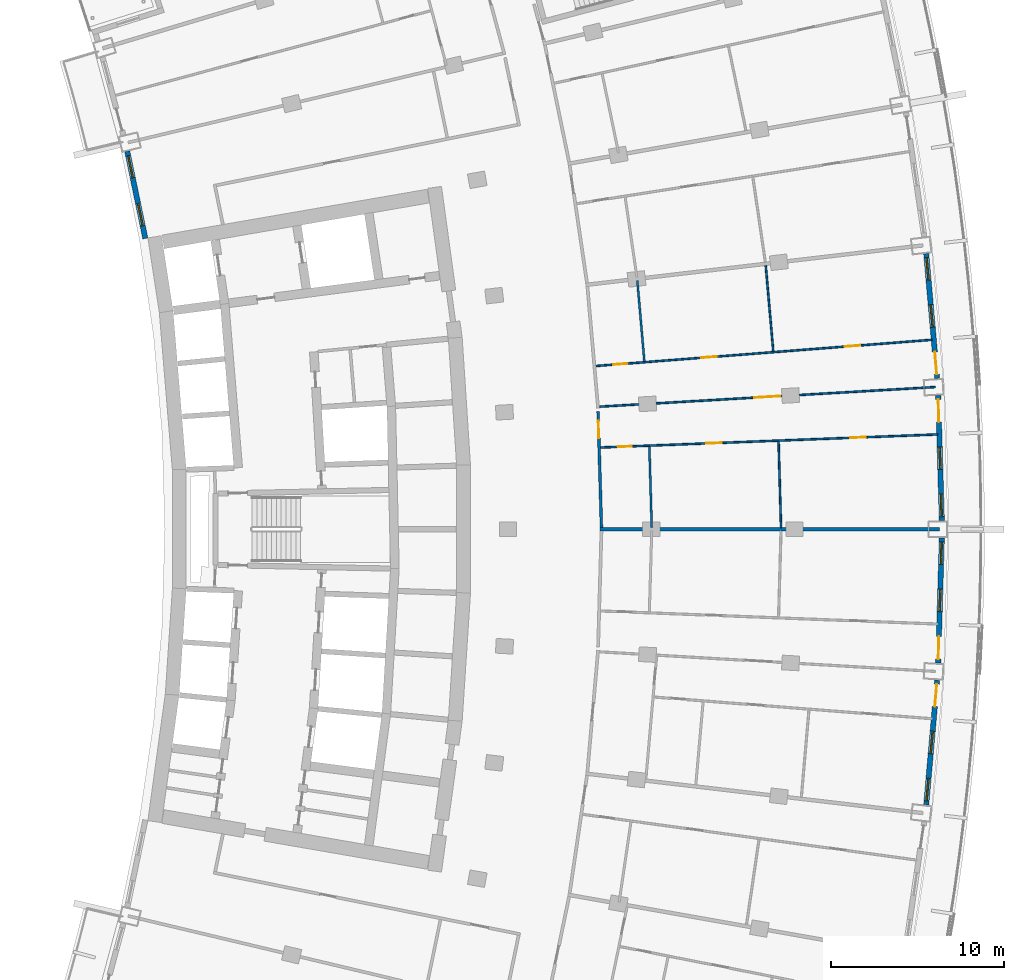
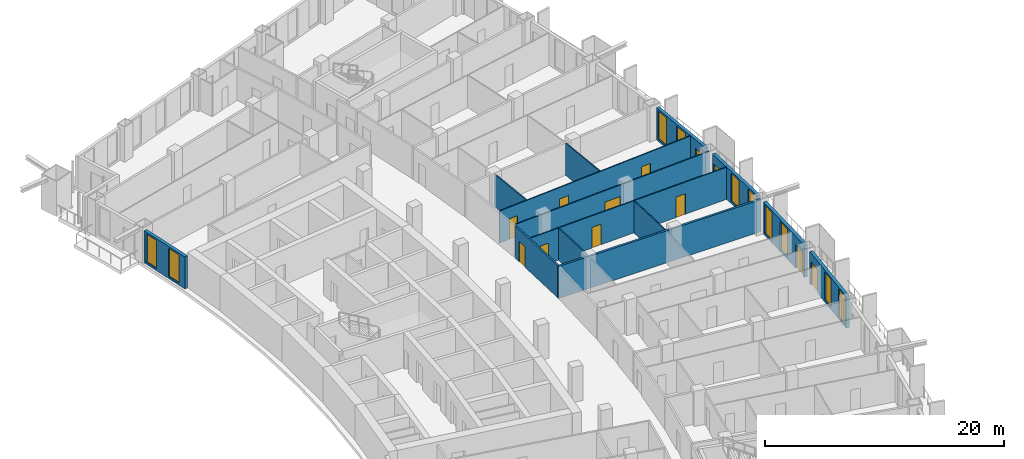
# One storey, part 18 of 25: 14 walls, 12 doors, 10 windows, 22 openings.
"""IFC4 building model written with IfcOpenShell, lengths in metres."""

from ifc_helpers import new_model, si_unit, direction, frame, frame_2d, origin, place, context, subcontext, project, spatial, rectangle, extrude, material, layer, layer_set, type_object, element, fill, save


model = new_model("IFC4")

# Units and contexts
model_context = context("Model", 3, precision=1e-05, world=origin(), true_north=direction((0.0, 1.0)))
body_context = subcontext(model_context, "Body", "Model", "MODEL_VIEW")
ifc_project = project(units=[si_unit("LENGTHUNIT", "METRE"), si_unit("AREAUNIT", "SQUARE_METRE"), si_unit("VOLUMEUNIT", "CUBIC_METRE"), si_unit("PLANEANGLEUNIT", "RADIAN"), si_unit("MASSUNIT", "GRAM", prefix="KILO")], contexts=[model_context])

# Site, building, storey
site_placement = place(None, origin())
site = spatial("IfcSite", under=ifc_project, at=site_placement, CompositionType="ELEMENT")
building_placement = place(site_placement, origin())
building = spatial("IfcBuilding", under=site, at=building_placement, Name="Alderwake Tower", CompositionType="ELEMENT")
storey_placement = place(building_placement, frame((0.0, 0.0, 122.0)))
storey = spatial("IfcBuildingStorey", under=building, at=storey_placement, Name="L30", CompositionType="ELEMENT", Elevation=122.0)

# Wall, opening, door
ifc_material_1 = material(Name="Gypsum board on metal studs, rated")
ifc_layer_1 = layer(ifc_material_1, 0.159912109375)
ifc_layer_set_1 = layer_set([ifc_layer_1], Name="Corridor wall 160")
wall_type_1 = type_object("IfcWallType", Name="Corridor wall 160", PredefinedType="PARTITIONING", material=ifc_layer_set_1)
wall_1_placement = place(storey_placement, frame((41.002685546875, 67.80029296875, 0.0), z_axis=(0.0, 0.0, 1.0), x_axis=(0.0288425569, -0.999583966914, 0.0)))
wall_1 = element("IfcWall", 1, at=wall_1_placement, inside=storey, type_object=wall_type_1, Name="WL/L30/W41", PredefinedType="PARTITIONING", context=body_context, shape_type="SweptSolid", body=[
    extrude(rectangle(XDim=6.703857421875, YDim=0.159912109375, at=frame_2d((3.35205078125, 0.0))), origin(), (0.0, 0.0, 1.0), 3.280029296875),
])
opening_1_placement = place(wall_1_placement, frame((0.54541015625, 0.0, 0.0)))
opening_1 = element("IfcOpeningElement", 2, at=opening_1_placement, cuts=wall_1, Name="Opening R08-U08.2", PredefinedType="OPENING", context=body_context, shape_type="SweptSolid", body=[
    extrude(rectangle(XDim=1.0, YDim=2.10009765625, at=frame_2d((0.5, 1.050048828125))), frame((0.0, 0.08984375, 0.0), z_axis=(0.0, -1.0, 0.0), x_axis=(1.0, 0.0, 0.0)), (0.0, 0.0, 1.0), 0.179931640625),
])
ifc_material_2 = material(Name="Solid timber leaf in steel frame", Category="steel")
door_type_1 = type_object("IfcDoorType", Name="Flat entrance door 1000 fire-rated", OperationType="SINGLE_SWING_LEFT", PredefinedType="DOOR", material=ifc_material_2)
door_1_placement = place(opening_1_placement, origin())
door_1 = element("IfcDoor", 3, at=door_1_placement, inside=storey, type_object=door_type_1, Name="DR/L30/U08.2", OperationType="SINGLE_SWING_LEFT", OverallHeight=2.10009765625, OverallWidth=1.0, PredefinedType="DOOR", context=body_context, shape_type="SweptSolid", body=[
    extrude(rectangle(XDim=1.0, YDim=2.10009765625, at=frame_2d((0.5, 1.050048828125))), frame((0.0, 0.02490234375, 0.0), z_axis=(0.0, -1.0, 0.0), x_axis=(1.0, 0.0, 0.0)), (0.0, 0.0, 1.0), 0.050048828125),
])
fill(opening_1, door_1)

# Wall, openings, door, windows
ifc_material_3 = material(Name="Precast concrete C50/60 spandrel panel", Category="concrete")
ifc_layer_2 = layer(ifc_material_3, 0.300048828125)
ifc_layer_set_2 = layer_set([ifc_layer_2], Name="External wall EW1 Precast concrete C50/60 spandrel")
wall_type_2 = type_object("IfcWallType", Name="External wall EW1 Precast concrete C50/60 spandrel", PredefinedType="SOLIDWALL", material=ifc_layer_set_2)
wall_2_placement = place(storey_placement, frame((59.93603515625, 45.101806640625, 0.0), z_axis=(0.0, 0.0, 1.0), x_axis=(0.087409071473, 0.996172502243, 0.0)))
wall_2 = element("IfcWall", 4, at=wall_2_placement, inside=storey, type_object=wall_type_2, Name="External wall 15", PredefinedType="SOLIDWALL", context=body_context, shape_type="SweptSolid", body=[
    extrude(rectangle(XDim=7.21728515625, YDim=0.300048828125, at=frame_2d((3.608642578125, 0.0))), origin(), (0.0, 0.0, 1.0), 3.280029296875),
])
opening_2_placement = place(wall_2_placement, frame((0.22509765625, 0.0, 0.199951171875)))
opening_2 = element("IfcOpeningElement", 5, at=opening_2_placement, cuts=wall_2, Name="Opening W1", PredefinedType="OPENING", context=body_context, shape_type="SweptSolid", body=[
    extrude(rectangle(XDim=1.300048828125, YDim=2.89990234375, at=frame_2d((0.64990234375, 1.449951171875))), frame((0.0, 0.159912109375, 0.0), z_axis=(0.0, -1.0, 0.0), x_axis=(1.0, 0.0, 0.0)), (0.0, 0.0, 1.0), 0.320068359375),
])
opening_3_placement = place(wall_2_placement, frame((2.958740234375, 0.0, 0.199951171875)))
opening_3 = element("IfcOpeningElement", 6, at=opening_3_placement, cuts=wall_2, Name="Opening W1", PredefinedType="OPENING", context=body_context, shape_type="SweptSolid", body=[
    extrude(rectangle(XDim=1.300048828125, YDim=2.89990234375, at=frame_2d((0.64990234375, 1.449951171875))), frame((0.0, 0.159912109375, 0.0), z_axis=(0.0, -1.0, 0.0), x_axis=(1.0, 0.0, 0.0)), (0.0, 0.0, 1.0), 0.320068359375),
])
opening_4_placement = place(wall_2_placement, frame((5.692138671875, 0.0, 0.0)))
opening_4 = element("IfcOpeningElement", 7, at=opening_4_placement, cuts=wall_2, Name="Opening D06", PredefinedType="OPENING", context=body_context, shape_type="SweptSolid", body=[
    extrude(rectangle(XDim=1.300048828125, YDim=2.39990234375, at=frame_2d((0.64990234375, 1.199951171875))), frame((0.0, 0.159912109375, 0.0), z_axis=(0.0, -1.0, 0.0), x_axis=(1.0, 0.0, 0.0)), (0.0, 0.0, 1.0), 0.320068359375),
])
ifc_material_4 = material(Name="Bronze tinted glass in aluminium frame", Category="aluminium")
door_type_2 = type_object("IfcDoorType", Name="Balcony door BD sliding", OperationType="SLIDING_TO_LEFT", PredefinedType="DOOR", material=ifc_material_4)
door_2_placement = place(opening_4_placement, origin())
door_2 = element("IfcDoor", 8, at=door_2_placement, inside=storey, type_object=door_type_2, Name="Door D06", OperationType="SLIDING_TO_LEFT", OverallHeight=2.39990234375, OverallWidth=1.300048828125, PredefinedType="DOOR", context=body_context, shape_type="SweptSolid", body=[
    extrude(rectangle(XDim=1.300048828125, YDim=2.39990234375, at=frame_2d((0.64990234375, 1.199951171875))), frame((0.0, 0.02490234375, 0.0), z_axis=(0.0, -1.0, 0.0), x_axis=(1.0, 0.0, 0.0)), (0.0, 0.0, 1.0), 0.050048828125),
])
fill(opening_4, door_2)
ifc_material_5 = material(Name="Bronze tinted glass in aluminium frame", Category="aluminium")
window_type = type_object("IfcWindowType", Name="Window W1 tall fixed and vent", PartitioningType="DOUBLE_PANEL_VERTICAL", PredefinedType="WINDOW", material=ifc_material_5)
window_1_placement = place(opening_2_placement, origin())
window_1 = element("IfcWindow", 9, at=window_1_placement, inside=storey, type_object=window_type, Name="Window W1 tall fixed and vent", OverallHeight=2.89990234375, OverallWidth=1.300048828125, PartitioningType="DOUBLE_PANEL_VERTICAL", PredefinedType="WINDOW", context=body_context, shape_type="SweptSolid", body=[
    extrude(rectangle(XDim=1.300048828125, YDim=2.89990234375, at=frame_2d((0.64990234375, 1.449951171875))), frame((0.0, 0.030029296875, 0.0), z_axis=(0.0, -1.0, 0.0), x_axis=(1.0, 0.0, 0.0)), (0.0, 0.0, 1.0), 0.06005859375),
])
fill(opening_2, window_1)
window_2_placement = place(opening_3_placement, origin())
window_2 = element("IfcWindow", 10, at=window_2_placement, inside=storey, type_object=window_type, Name="Window W1 tall fixed and vent", OverallHeight=2.89990234375, OverallWidth=1.300048828125, PartitioningType="DOUBLE_PANEL_VERTICAL", PredefinedType="WINDOW", context=body_context, shape_type="SweptSolid", body=[
    extrude(rectangle(XDim=1.300048828125, YDim=2.89990234375, at=frame_2d((0.64990234375, 1.449951171875))), frame((0.0, 0.030029296875, 0.0), z_axis=(0.0, -1.0, 0.0), x_axis=(1.0, 0.0, 0.0)), (0.0, 0.0, 1.0), 0.06005859375),
])
fill(opening_3, window_2)

wall_3_placement = place(storey_placement, frame((60.625, 53.287109375, 0.0), z_axis=(0.0, 0.0, 1.0), x_axis=(0.029158493341, 0.999574800736, 0.0)))
wall_3 = element("IfcWall", 11, at=wall_3_placement, inside=storey, type_object=wall_type_2, Name="External wall 16", PredefinedType="SOLIDWALL", context=body_context, shape_type="SweptSolid", body=[
    extrude(rectangle(XDim=7.217529296875, YDim=0.300048828125, at=frame_2d((3.60888671875, 0.0))), origin(), (0.0, 0.0, 1.0), 3.280029296875),
])
opening_5_placement = place(wall_3_placement, frame((0.22509765625, 0.0, 0.0)))
opening_5 = element("IfcOpeningElement", 12, at=opening_5_placement, cuts=wall_3, Name="Opening D07", PredefinedType="OPENING", context=body_context, shape_type="SweptSolid", body=[
    extrude(rectangle(XDim=1.300048828125, YDim=2.39990234375, at=frame_2d((0.64990234375, 1.199951171875))), frame((0.0, 0.159912109375, 0.0), z_axis=(0.0, -1.0, 0.0), x_axis=(1.0, 0.0, 0.0)), (0.0, 0.0, 1.0), 0.320068359375),
])
opening_6_placement = place(wall_3_placement, frame((2.958740234375, 0.0, 0.199951171875)))
opening_6 = element("IfcOpeningElement", 13, at=opening_6_placement, cuts=wall_3, Name="Opening W1", PredefinedType="OPENING", context=body_context, shape_type="SweptSolid", body=[
    extrude(rectangle(XDim=1.300048828125, YDim=2.89990234375, at=frame_2d((0.64990234375, 1.449951171875))), frame((0.0, 0.159912109375, 0.0), z_axis=(0.0, -1.0, 0.0), x_axis=(1.0, 0.0, 0.0)), (0.0, 0.0, 1.0), 0.320068359375),
])
opening_7_placement = place(wall_3_placement, frame((5.692138671875, 0.0, 0.199951171875)))
opening_7 = element("IfcOpeningElement", 14, at=opening_7_placement, cuts=wall_3, Name="Opening W1", PredefinedType="OPENING", context=body_context, shape_type="SweptSolid", body=[
    extrude(rectangle(XDim=1.300048828125, YDim=2.89990234375, at=frame_2d((0.64990234375, 1.449951171875))), frame((0.0, 0.159912109375, 0.0), z_axis=(0.0, -1.0, 0.0), x_axis=(1.0, 0.0, 0.0)), (0.0, 0.0, 1.0), 0.320068359375),
])
door_3_placement = place(opening_5_placement, origin())
door_3 = element("IfcDoor", 15, at=door_3_placement, inside=storey, type_object=door_type_2, Name="Door D07", OperationType="SLIDING_TO_LEFT", OverallHeight=2.39990234375, OverallWidth=1.300048828125, PredefinedType="DOOR", context=body_context, shape_type="SweptSolid", body=[
    extrude(rectangle(XDim=1.300048828125, YDim=2.39990234375, at=frame_2d((0.64990234375, 1.199951171875))), frame((0.0, 0.02490234375, 0.0), z_axis=(0.0, -1.0, 0.0), x_axis=(1.0, 0.0, 0.0)), (0.0, 0.0, 1.0), 0.050048828125),
])
fill(opening_5, door_3)
window_3_placement = place(opening_6_placement, origin())
window_3 = element("IfcWindow", 16, at=window_3_placement, inside=storey, type_object=window_type, Name="Window W1 tall fixed and vent", OverallHeight=2.89990234375, OverallWidth=1.300048828125, PartitioningType="DOUBLE_PANEL_VERTICAL", PredefinedType="WINDOW", context=body_context, shape_type="SweptSolid", body=[
    extrude(rectangle(XDim=1.300048828125, YDim=2.89990234375, at=frame_2d((0.64990234375, 1.449951171875))), frame((0.0, 0.030029296875, 0.0), z_axis=(0.0, -1.0, 0.0), x_axis=(1.0, 0.0, 0.0)), (0.0, 0.0, 1.0), 0.06005859375),
])
fill(opening_6, window_3)
window_4_placement = place(opening_7_placement, origin())
window_4 = element("IfcWindow", 17, at=window_4_placement, inside=storey, type_object=window_type, Name="Window W1 tall fixed and vent", OverallHeight=2.89990234375, OverallWidth=1.300048828125, PartitioningType="DOUBLE_PANEL_VERTICAL", PredefinedType="WINDOW", context=body_context, shape_type="SweptSolid", body=[
    extrude(rectangle(XDim=1.300048828125, YDim=2.89990234375, at=frame_2d((0.64990234375, 1.449951171875))), frame((0.0, 0.030029296875, 0.0), z_axis=(0.0, -1.0, 0.0), x_axis=(1.0, 0.0, 0.0)), (0.0, 0.0, 1.0), 0.06005859375),
])
fill(opening_7, window_4)

wall_4_placement = place(storey_placement, frame((60.83544921875, 61.49853515625, 0.0), z_axis=(0.0, 0.0, 1.0), x_axis=(-0.029158493341, 0.999574800736, 0.0)))
wall_4 = element("IfcWall", 18, at=wall_4_placement, inside=storey, type_object=wall_type_2, Name="External wall 17", PredefinedType="SOLIDWALL", context=body_context, shape_type="SweptSolid", body=[
    extrude(rectangle(XDim=7.217529296875, YDim=0.300048828125, at=frame_2d((3.60888671875, 0.0))), origin(), (0.0, 0.0, 1.0), 3.280029296875),
])
opening_8_placement = place(wall_4_placement, frame((0.22509765625, 0.0, 0.199951171875)))
opening_8 = element("IfcOpeningElement", 19, at=opening_8_placement, cuts=wall_4, Name="Opening W1", PredefinedType="OPENING", context=body_context, shape_type="SweptSolid", body=[
    extrude(rectangle(XDim=1.300048828125, YDim=2.89990234375, at=frame_2d((0.64990234375, 1.449951171875))), frame((0.0, 0.159912109375, 0.0), z_axis=(0.0, -1.0, 0.0), x_axis=(1.0, 0.0, 0.0)), (0.0, 0.0, 1.0), 0.320068359375),
])
opening_9_placement = place(wall_4_placement, frame((2.958740234375, 0.0, 0.199951171875)))
opening_9 = element("IfcOpeningElement", 20, at=opening_9_placement, cuts=wall_4, Name="Opening W1", PredefinedType="OPENING", context=body_context, shape_type="SweptSolid", body=[
    extrude(rectangle(XDim=1.300048828125, YDim=2.89990234375, at=frame_2d((0.64990234375, 1.449951171875))), frame((0.0, 0.159912109375, 0.0), z_axis=(0.0, -1.0, 0.0), x_axis=(1.0, 0.0, 0.0)), (0.0, 0.0, 1.0), 0.320068359375),
])
opening_10_placement = place(wall_4_placement, frame((5.692138671875, 0.0, 0.0)))
opening_10 = element("IfcOpeningElement", 21, at=opening_10_placement, cuts=wall_4, Name="Opening D08", PredefinedType="OPENING", context=body_context, shape_type="SweptSolid", body=[
    extrude(rectangle(XDim=1.300048828125, YDim=2.39990234375, at=frame_2d((0.64990234375, 1.199951171875))), frame((0.0, 0.159912109375, 0.0), z_axis=(0.0, -1.0, 0.0), x_axis=(1.0, 0.0, 0.0)), (0.0, 0.0, 1.0), 0.320068359375),
])
door_4_placement = place(opening_10_placement, origin())
door_4 = element("IfcDoor", 22, at=door_4_placement, inside=storey, type_object=door_type_2, Name="Door D08", OperationType="SLIDING_TO_LEFT", OverallHeight=2.39990234375, OverallWidth=1.300048828125, PredefinedType="DOOR", context=body_context, shape_type="SweptSolid", body=[
    extrude(rectangle(XDim=1.300048828125, YDim=2.39990234375, at=frame_2d((0.64990234375, 1.199951171875))), frame((0.0, 0.02490234375, 0.0), z_axis=(0.0, -1.0, 0.0), x_axis=(1.0, 0.0, 0.0)), (0.0, 0.0, 1.0), 0.050048828125),
])
fill(opening_10, door_4)
window_5_placement = place(opening_8_placement, origin())
window_5 = element("IfcWindow", 23, at=window_5_placement, inside=storey, type_object=window_type, Name="Window W1 tall fixed and vent", OverallHeight=2.89990234375, OverallWidth=1.300048828125, PartitioningType="DOUBLE_PANEL_VERTICAL", PredefinedType="WINDOW", context=body_context, shape_type="SweptSolid", body=[
    extrude(rectangle(XDim=1.300048828125, YDim=2.89990234375, at=frame_2d((0.64990234375, 1.449951171875))), frame((0.0, 0.030029296875, 0.0), z_axis=(0.0, -1.0, 0.0), x_axis=(1.0, 0.0, 0.0)), (0.0, 0.0, 1.0), 0.06005859375),
])
fill(opening_8, window_5)
window_6_placement = place(opening_9_placement, origin())
window_6 = element("IfcWindow", 24, at=window_6_placement, inside=storey, type_object=window_type, Name="Window W1 tall fixed and vent", OverallHeight=2.89990234375, OverallWidth=1.300048828125, PartitioningType="DOUBLE_PANEL_VERTICAL", PredefinedType="WINDOW", context=body_context, shape_type="SweptSolid", body=[
    extrude(rectangle(XDim=1.300048828125, YDim=2.89990234375, at=frame_2d((0.64990234375, 1.449951171875))), frame((0.0, 0.030029296875, 0.0), z_axis=(0.0, -1.0, 0.0), x_axis=(1.0, 0.0, 0.0)), (0.0, 0.0, 1.0), 0.06005859375),
])
fill(opening_9, window_6)

wall_5_placement = place(storey_placement, frame((60.56689453125, 69.70849609375, 0.0), z_axis=(0.0, 0.0, 1.0), x_axis=(-0.087409071473, 0.996172502243, 0.0)))
wall_5 = element("IfcWall", 25, at=wall_5_placement, inside=storey, type_object=wall_type_2, Name="External wall 18", PredefinedType="SOLIDWALL", context=body_context, shape_type="SweptSolid", body=[
    extrude(rectangle(XDim=7.21728515625, YDim=0.300048828125, at=frame_2d((3.608642578125, 0.0))), origin(), (0.0, 0.0, 1.0), 3.280029296875),
])
opening_11_placement = place(wall_5_placement, frame((0.22509765625, 0.0, 0.0)))
opening_11 = element("IfcOpeningElement", 26, at=opening_11_placement, cuts=wall_5, Name="Opening D09", PredefinedType="OPENING", context=body_context, shape_type="SweptSolid", body=[
    extrude(rectangle(XDim=1.300048828125, YDim=2.39990234375, at=frame_2d((0.64990234375, 1.199951171875))), frame((0.0, 0.159912109375, 0.0), z_axis=(0.0, -1.0, 0.0), x_axis=(1.0, 0.0, 0.0)), (0.0, 0.0, 1.0), 0.320068359375),
])
opening_12_placement = place(wall_5_placement, frame((2.958740234375, 0.0, 0.199951171875)))
opening_12 = element("IfcOpeningElement", 27, at=opening_12_placement, cuts=wall_5, Name="Opening W1", PredefinedType="OPENING", context=body_context, shape_type="SweptSolid", body=[
    extrude(rectangle(XDim=1.300048828125, YDim=2.89990234375, at=frame_2d((0.64990234375, 1.449951171875))), frame((0.0, 0.159912109375, 0.0), z_axis=(0.0, -1.0, 0.0), x_axis=(1.0, 0.0, 0.0)), (0.0, 0.0, 1.0), 0.320068359375),
])
opening_13_placement = place(wall_5_placement, frame((5.692138671875, 0.0, 0.199951171875)))
opening_13 = element("IfcOpeningElement", 28, at=opening_13_placement, cuts=wall_5, Name="Opening W1", PredefinedType="OPENING", context=body_context, shape_type="SweptSolid", body=[
    extrude(rectangle(XDim=1.300048828125, YDim=2.89990234375, at=frame_2d((0.64990234375, 1.449951171875))), frame((0.0, 0.159912109375, 0.0), z_axis=(0.0, -1.0, 0.0), x_axis=(1.0, 0.0, 0.0)), (0.0, 0.0, 1.0), 0.320068359375),
])
door_5_placement = place(opening_11_placement, origin())
door_5 = element("IfcDoor", 29, at=door_5_placement, inside=storey, type_object=door_type_2, Name="Door D09", OperationType="SLIDING_TO_LEFT", OverallHeight=2.39990234375, OverallWidth=1.300048828125, PredefinedType="DOOR", context=body_context, shape_type="SweptSolid", body=[
    extrude(rectangle(XDim=1.300048828125, YDim=2.39990234375, at=frame_2d((0.64990234375, 1.199951171875))), frame((0.0, 0.02490234375, 0.0), z_axis=(0.0, -1.0, 0.0), x_axis=(1.0, 0.0, 0.0)), (0.0, 0.0, 1.0), 0.050048828125),
])
fill(opening_11, door_5)
window_7_placement = place(opening_12_placement, origin())
window_7 = element("IfcWindow", 30, at=window_7_placement, inside=storey, type_object=window_type, Name="Window W1 tall fixed and vent", OverallHeight=2.89990234375, OverallWidth=1.300048828125, PartitioningType="DOUBLE_PANEL_VERTICAL", PredefinedType="WINDOW", context=body_context, shape_type="SweptSolid", body=[
    extrude(rectangle(XDim=1.300048828125, YDim=2.89990234375, at=frame_2d((0.64990234375, 1.449951171875))), frame((0.0, 0.030029296875, 0.0), z_axis=(0.0, -1.0, 0.0), x_axis=(1.0, 0.0, 0.0)), (0.0, 0.0, 1.0), 0.06005859375),
])
fill(opening_12, window_7)
window_8_placement = place(opening_13_placement, origin())
window_8 = element("IfcWindow", 31, at=window_8_placement, inside=storey, type_object=window_type, Name="Window W1 tall fixed and vent", OverallHeight=2.89990234375, OverallWidth=1.300048828125, PartitioningType="DOUBLE_PANEL_VERTICAL", PredefinedType="WINDOW", context=body_context, shape_type="SweptSolid", body=[
    extrude(rectangle(XDim=1.300048828125, YDim=2.89990234375, at=frame_2d((0.64990234375, 1.449951171875))), frame((0.0, 0.030029296875, 0.0), z_axis=(0.0, -1.0, 0.0), x_axis=(1.0, 0.0, 0.0)), (0.0, 0.0, 1.0), 0.06005859375),
])
fill(opening_13, window_8)

# Wall, openings, windows
wall_6_placement = place(storey_placement, frame((13.83740234375, 82.803955078125, 0.0), z_axis=(0.0, 0.0, 1.0), x_axis=(0.202723539143, -0.979236011734, 0.0)))
wall_6 = element("IfcWall", 32, at=wall_6_placement, inside=storey, type_object=wall_type_2, Name="External wall 34", PredefinedType="SOLIDWALL", context=body_context, shape_type="SweptSolid", body=[
    extrude(rectangle(XDim=5.134033203125, YDim=0.300048828125, at=frame_2d((2.56689453125, 0.0))), origin(), (0.0, 0.0, 1.0), 3.280029296875),
])
opening_14_placement = place(wall_6_placement, frame((0.264892578125, 0.0, 0.199951171875)))
opening_14 = element("IfcOpeningElement", 33, at=opening_14_placement, cuts=wall_6, Name="Opening W1", PredefinedType="OPENING", context=body_context, shape_type="SweptSolid", body=[
    extrude(rectangle(XDim=1.300048828125, YDim=2.89990234375, at=frame_2d((0.64990234375, 1.449951171875))), frame((0.0, 0.159912109375, 0.0), z_axis=(0.0, -1.0, 0.0), x_axis=(1.0, 0.0, 0.0)), (0.0, 0.0, 1.0), 0.320068359375),
])
opening_15_placement = place(wall_6_placement, frame((3.077392578125, 0.0, 0.199951171875)))
opening_15 = element("IfcOpeningElement", 34, at=opening_15_placement, cuts=wall_6, Name="Opening W1", PredefinedType="OPENING", context=body_context, shape_type="SweptSolid", body=[
    extrude(rectangle(XDim=1.300048828125, YDim=2.89990234375, at=frame_2d((0.64990234375, 1.449951171875))), frame((0.0, 0.159912109375, 0.0), z_axis=(0.0, -1.0, 0.0), x_axis=(1.0, 0.0, 0.0)), (0.0, 0.0, 1.0), 0.320068359375),
])
window_9_placement = place(opening_14_placement, origin())
window_9 = element("IfcWindow", 35, at=window_9_placement, inside=storey, type_object=window_type, Name="Window W1 tall fixed and vent", OverallHeight=2.89990234375, OverallWidth=1.300048828125, PartitioningType="DOUBLE_PANEL_VERTICAL", PredefinedType="WINDOW", context=body_context, shape_type="SweptSolid", body=[
    extrude(rectangle(XDim=1.300048828125, YDim=2.89990234375, at=frame_2d((0.64990234375, 1.449951171875))), frame((0.0, 0.030029296875, 0.0), z_axis=(0.0, -1.0, 0.0), x_axis=(1.0, 0.0, 0.0)), (0.0, 0.0, 1.0), 0.06005859375),
])
fill(opening_14, window_9)
window_10_placement = place(opening_15_placement, origin())
window_10 = element("IfcWindow", 36, at=window_10_placement, inside=storey, type_object=window_type, Name="Window W1 tall fixed and vent", OverallHeight=2.89990234375, OverallWidth=1.300048828125, PartitioningType="DOUBLE_PANEL_VERTICAL", PredefinedType="WINDOW", context=body_context, shape_type="SweptSolid", body=[
    extrude(rectangle(XDim=1.300048828125, YDim=2.89990234375, at=frame_2d((0.64990234375, 1.449951171875))), frame((0.0, 0.030029296875, 0.0), z_axis=(0.0, -1.0, 0.0), x_axis=(1.0, 0.0, 0.0)), (0.0, 0.0, 1.0), 0.06005859375),
])
fill(opening_15, window_10)

# Wall
ifc_material_6 = material(Name="Dense block masonry wall", Category="masonry")
ifc_layer_3 = layer(ifc_material_6, 0.199951171875)
ifc_layer_set_3 = layer_set([ifc_layer_3], Name="Party wall 200")
wall_type_3 = type_object("IfcWallType", Name="Party wall 200", PredefinedType="SOLIDWALL", material=ifc_layer_set_3)
wall_7_placement = place(storey_placement, frame((60.698974609375, 60.9990234375, 0.0), z_axis=(0.0, 0.0, 1.0), x_axis=(-1.0, 0.0, 0.0)))
element("IfcWall", 37, at=wall_7_placement, inside=storey, type_object=wall_type_3, Name="WL/L30/W13", PredefinedType="SOLIDWALL", context=body_context, shape_type="SweptSolid", body=[
    extrude(rectangle(XDim=19.580078125, YDim=0.199951171875, at=frame_2d((9.7900390625, 0.0))), origin(), (0.0, 0.0, 1.0), 3.280029296875),
])

# Wall, openings, doors
ifc_material_7 = material(Name="Gypsum board on metal studs")
ifc_layer_4 = layer(ifc_material_7, 0.10009765625)
ifc_layer_set_4 = layer_set([ifc_layer_4], Name="Unit partition 100")
wall_type_4 = type_object("IfcWallType", Name="Unit partition 100", PredefinedType="PARTITIONING", material=ifc_layer_set_4)
wall_8_placement = place(storey_placement, frame((40.867919921875, 70.419189453125, 0.0), z_axis=(0.0, 0.0, 1.0), x_axis=(0.99697836053, 0.077679782668, 0.0)))
wall_8 = element("IfcWall", 38, at=wall_8_placement, inside=storey, type_object=wall_type_4, Name="WL/L30/W70", PredefinedType="PARTITIONING", context=body_context, shape_type="SweptSolid", body=[
    extrude(rectangle(XDim=19.4609375, YDim=0.10009765625, at=frame_2d((9.73046875, 0.0))), origin(), (0.0, 0.0, 1.0), 3.280029296875),
])
opening_16_placement = place(wall_8_placement, frame((6.098388671875, 0.0, 0.0)))
opening_16 = element("IfcOpeningElement", 39, at=opening_16_placement, cuts=wall_8, Name="Opening R08-U08.5", PredefinedType="OPENING", context=body_context, shape_type="SweptSolid", body=[
    extrude(rectangle(XDim=0.89990234375, YDim=2.10009765625, at=frame_2d((0.449951171875, 1.050048828125))), frame((0.0, 0.06005859375, 0.0), z_axis=(0.0, -1.0, 0.0), x_axis=(1.0, 0.0, 0.0)), (0.0, 0.0, 1.0), 0.1201171875),
])
opening_17_placement = place(wall_8_placement, frame((1.009521484375, 0.0, 0.0)))
opening_17 = element("IfcOpeningElement", 40, at=opening_17_placement, cuts=wall_8, Name="Opening R08-U08.6", PredefinedType="OPENING", context=body_context, shape_type="SweptSolid", body=[
    extrude(rectangle(XDim=0.800048828125, YDim=2.10009765625, at=frame_2d((0.39990234375, 1.050048828125))), frame((0.0, 0.06005859375, 0.0), z_axis=(0.0, -1.0, 0.0), x_axis=(1.0, 0.0, 0.0)), (0.0, 0.0, 1.0), 0.1201171875),
])
opening_18_placement = place(wall_8_placement, frame((14.41943359375, 0.0, 0.0)))
opening_18 = element("IfcOpeningElement", 41, at=opening_18_placement, cuts=wall_8, Name="Opening R08-U08.7", PredefinedType="OPENING", context=body_context, shape_type="SweptSolid", body=[
    extrude(rectangle(XDim=0.89990234375, YDim=2.10009765625, at=frame_2d((0.449951171875, 1.050048828125))), frame((0.0, 0.06005859375, 0.0), z_axis=(0.0, -1.0, 0.0), x_axis=(1.0, 0.0, 0.0)), (0.0, 0.0, 1.0), 0.1201171875),
])
ifc_material_8 = material(Name="Painted timber leaf", Category="wood")
door_type_3 = type_object("IfcDoorType", Name="Bathroom door 800", OperationType="SINGLE_SWING_LEFT", PredefinedType="DOOR", material=ifc_material_8)
door_6_placement = place(opening_17_placement, origin())
door_6 = element("IfcDoor", 42, at=door_6_placement, inside=storey, type_object=door_type_3, Name="DR/L30/U08.6", OperationType="SINGLE_SWING_LEFT", OverallHeight=2.10009765625, OverallWidth=0.800048828125, PredefinedType="DOOR", context=body_context, shape_type="SweptSolid", body=[
    extrude(rectangle(XDim=0.800048828125, YDim=2.10009765625, at=frame_2d((0.39990234375, 1.050048828125))), frame((0.0, 0.02490234375, 0.0), z_axis=(0.0, -1.0, 0.0), x_axis=(1.0, 0.0, 0.0)), (0.0, 0.0, 1.0), 0.050048828125),
])
fill(opening_17, door_6)
ifc_material_9 = material(Name="Painted timber leaf", Category="wood")
door_type_4 = type_object("IfcDoorType", Name="Room door 900", OperationType="SINGLE_SWING_LEFT", PredefinedType="DOOR", material=ifc_material_9)
door_7_placement = place(opening_16_placement, origin())
door_7 = element("IfcDoor", 43, at=door_7_placement, inside=storey, type_object=door_type_4, Name="DR/L30/U08.5", OperationType="SINGLE_SWING_LEFT", OverallHeight=2.10009765625, OverallWidth=0.89990234375, PredefinedType="DOOR", context=body_context, shape_type="SweptSolid", body=[
    extrude(rectangle(XDim=0.89990234375, YDim=2.10009765625, at=frame_2d((0.449951171875, 1.050048828125))), frame((0.0, 0.02490234375, 0.0), z_axis=(0.0, -1.0, 0.0), x_axis=(1.0, 0.0, 0.0)), (0.0, 0.0, 1.0), 0.050048828125),
])
fill(opening_16, door_7)
door_8_placement = place(opening_18_placement, origin())
door_8 = element("IfcDoor", 44, at=door_8_placement, inside=storey, type_object=door_type_4, Name="DR/L30/U08.7", OperationType="SINGLE_SWING_LEFT", OverallHeight=2.10009765625, OverallWidth=0.89990234375, PredefinedType="DOOR", context=body_context, shape_type="SweptSolid", body=[
    extrude(rectangle(XDim=0.89990234375, YDim=2.10009765625, at=frame_2d((0.449951171875, 1.050048828125))), frame((0.0, 0.02490234375, 0.0), z_axis=(0.0, -1.0, 0.0), x_axis=(1.0, 0.0, 0.0)), (0.0, 0.0, 1.0), 0.050048828125),
])
fill(opening_18, door_8)

wall_9_placement = place(storey_placement, frame((60.591064453125, 66.470947265625, 0.0), z_axis=(0.0, 0.0, 1.0), x_axis=(-0.999245527857, -0.038837804487, 0.0)))
wall_9 = element("IfcWall", 45, at=wall_9_placement, inside=storey, type_object=wall_type_4, Name="WL/L30/W73", PredefinedType="PARTITIONING", context=body_context, shape_type="SweptSolid", body=[
    extrude(rectangle(XDim=19.4619140625, YDim=0.10009765625, at=frame_2d((9.73095703125, 0.0))), origin(), (0.0, 0.0, 1.0), 3.280029296875),
])
opening_19_placement = place(wall_9_placement, frame((12.46484375, 0.0, 0.0)))
opening_19 = element("IfcOpeningElement", 46, at=opening_19_placement, cuts=wall_9, Name="Opening R08-U08.1", PredefinedType="OPENING", context=body_context, shape_type="SweptSolid", body=[
    extrude(rectangle(XDim=0.89990234375, YDim=2.10009765625, at=frame_2d((0.449951171875, 1.050048828125))), frame((0.0, 0.06005859375, 0.0), z_axis=(0.0, -1.0, 0.0), x_axis=(1.0, 0.0, 0.0)), (0.0, 0.0, 1.0), 0.1201171875),
])
opening_20_placement = place(wall_9_placement, frame((17.653076171875, 0.0, 0.0)))
opening_20 = element("IfcOpeningElement", 47, at=opening_20_placement, cuts=wall_9, Name="Opening R08-U08.3", PredefinedType="OPENING", context=body_context, shape_type="SweptSolid", body=[
    extrude(rectangle(XDim=0.800048828125, YDim=2.10009765625, at=frame_2d((0.39990234375, 1.050048828125))), frame((0.0, 0.06005859375, 0.0), z_axis=(0.0, -1.0, 0.0), x_axis=(1.0, 0.0, 0.0)), (0.0, 0.0, 1.0), 0.1201171875),
])
opening_21_placement = place(wall_9_placement, frame((4.14306640625, 0.0, 0.0)))
opening_21 = element("IfcOpeningElement", 48, at=opening_21_placement, cuts=wall_9, Name="Opening R08-U08.4", PredefinedType="OPENING", context=body_context, shape_type="SweptSolid", body=[
    extrude(rectangle(XDim=0.89990234375, YDim=2.10009765625, at=frame_2d((0.449951171875, 1.050048828125))), frame((0.0, 0.06005859375, 0.0), z_axis=(0.0, -1.0, 0.0), x_axis=(1.0, 0.0, 0.0)), (0.0, 0.0, 1.0), 0.1201171875),
])
door_9_placement = place(opening_20_placement, origin())
door_9 = element("IfcDoor", 49, at=door_9_placement, inside=storey, type_object=door_type_3, Name="DR/L30/U08.3", OperationType="SINGLE_SWING_LEFT", OverallHeight=2.10009765625, OverallWidth=0.800048828125, PredefinedType="DOOR", context=body_context, shape_type="SweptSolid", body=[
    extrude(rectangle(XDim=0.800048828125, YDim=2.10009765625, at=frame_2d((0.39990234375, 1.050048828125))), frame((0.0, 0.02490234375, 0.0), z_axis=(0.0, -1.0, 0.0), x_axis=(1.0, 0.0, 0.0)), (0.0, 0.0, 1.0), 0.050048828125),
])
fill(opening_20, door_9)
door_10_placement = place(opening_19_placement, origin())
door_10 = element("IfcDoor", 50, at=door_10_placement, inside=storey, type_object=door_type_4, Name="DR/L30/U08.1", OperationType="SINGLE_SWING_LEFT", OverallHeight=2.10009765625, OverallWidth=0.89990234375, PredefinedType="DOOR", context=body_context, shape_type="SweptSolid", body=[
    extrude(rectangle(XDim=0.89990234375, YDim=2.10009765625, at=frame_2d((0.449951171875, 1.050048828125))), frame((0.0, 0.02490234375, 0.0), z_axis=(0.0, -1.0, 0.0), x_axis=(1.0, 0.0, 0.0)), (0.0, 0.0, 1.0), 0.050048828125),
])
fill(opening_19, door_10)
door_11_placement = place(opening_21_placement, origin())
door_11 = element("IfcDoor", 51, at=door_11_placement, inside=storey, type_object=door_type_4, Name="DR/L30/U08.4", OperationType="SINGLE_SWING_LEFT", OverallHeight=2.10009765625, OverallWidth=0.89990234375, PredefinedType="DOOR", context=body_context, shape_type="SweptSolid", body=[
    extrude(rectangle(XDim=0.89990234375, YDim=2.10009765625, at=frame_2d((0.449951171875, 1.050048828125))), frame((0.0, 0.02490234375, 0.0), z_axis=(0.0, -1.0, 0.0), x_axis=(1.0, 0.0, 0.0)), (0.0, 0.0, 1.0), 0.050048828125),
])
fill(opening_21, door_11)

# Walls
wall_10_placement = place(storey_placement, frame((51.109619140625, 71.266845703125, 0.0), z_axis=(0.0, 0.0, 1.0), x_axis=(-0.087352937881, 0.996177426086, 0.0)))
element("IfcWall", 52, at=wall_10_placement, inside=storey, type_object=wall_type_4, Name="WL/L30/W83", PredefinedType="PARTITIONING", context=body_context, shape_type="SweptSolid", body=[
    extrude(rectangle(XDim=4.966552734375, YDim=0.10009765625, at=frame_2d((2.4833984375, 0.0))), origin(), (0.0, 0.0, 1.0), 3.280029296875),
])
wall_11_placement = place(storey_placement, frame((51.55810546875, 61.09912109375, 0.0), z_axis=(0.0, 0.0, 1.0), x_axis=(-0.028754823924, 0.999586494557, 0.0)))
element("IfcWall", 53, at=wall_11_placement, inside=storey, type_object=wall_type_4, Name="WL/L30/W85", PredefinedType="PARTITIONING", context=body_context, shape_type="SweptSolid", body=[
    extrude(rectangle(XDim=4.966796875, YDim=0.10009765625, at=frame_2d((2.4833984375, 0.0))), origin(), (0.0, 0.0, 1.0), 3.280029296875),
])

# Wall, opening, door
wall_12_placement = place(storey_placement, frame((41.074951171875, 68.07177734375, 0.0), z_axis=(0.0, 0.0, 1.0), x_axis=(0.998298693209, 0.058307110518, 0.0)))
wall_12 = element("IfcWall", 54, at=wall_12_placement, inside=storey, type_object=wall_type_4, Name="WL/L30/W88", PredefinedType="PARTITIONING", context=body_context, shape_type="SweptSolid", body=[
    extrude(rectangle(XDim=19.419921875, YDim=0.10009765625, at=frame_2d((9.7099609375, 0.0))), origin(), (0.0, 0.0, 1.0), 3.280029296875),
])
opening_22_placement = place(wall_12_placement, frame((8.95947265625, 0.0, 0.0)))
opening_22 = element("IfcOpeningElement", 55, at=opening_22_placement, cuts=wall_12, Name="Opening R08-U08.8", PredefinedType="OPENING", context=body_context, shape_type="SweptSolid", body=[
    extrude(rectangle(XDim=1.5, YDim=2.10009765625, at=frame_2d((0.75, 1.050048828125))), frame((0.0, 0.06005859375, 0.0), z_axis=(0.0, -1.0, 0.0), x_axis=(1.0, 0.0, 0.0)), (0.0, 0.0, 1.0), 0.1201171875),
])
ifc_material_10 = material(Name="Painted timber leaves", Category="wood")
door_type_5 = type_object("IfcDoorType", Name="Double leaf door 1500", OperationType="DOUBLE_DOOR_SINGLE_SWING", PredefinedType="DOOR", material=ifc_material_10)
door_12_placement = place(opening_22_placement, origin())
door_12 = element("IfcDoor", 56, at=door_12_placement, inside=storey, type_object=door_type_5, Name="DR/L30/U08.8", OperationType="DOUBLE_DOOR_SINGLE_SWING", OverallHeight=2.10009765625, OverallWidth=1.5, PredefinedType="DOOR", context=body_context, shape_type="SweptSolid", body=[
    extrude(rectangle(XDim=1.5, YDim=2.10009765625, at=frame_2d((0.75, 1.050048828125))), frame((0.0, 0.02490234375, 0.0), z_axis=(0.0, -1.0, 0.0), x_axis=(1.0, 0.0, 0.0)), (0.0, 0.0, 1.0), 0.050048828125),
])
fill(opening_22, door_12)

# Walls
ifc_material_11 = material(Name="Moisture resistant gypsum board on metal studs")
ifc_layer_5 = layer(ifc_material_11, 0.1201171875)
ifc_layer_set_5 = layer_set([ifc_layer_5], Name="Wet room partition 120")
wall_type_5 = type_object("IfcWallType", Name="Wet room partition 120", PredefinedType="PARTITIONING", material=ifc_layer_set_5)
wall_13_placement = place(storey_placement, frame((43.672607421875, 70.687744140625, 0.0), z_axis=(0.0, 0.0, 1.0), x_axis=(-0.087010256841, 0.996207415755, 0.0)))
element("IfcWall", 57, at=wall_13_placement, inside=storey, type_object=wall_type_5, Name="WL/L30/W58", PredefinedType="PARTITIONING", context=body_context, shape_type="SweptSolid", body=[
    extrude(rectangle(XDim=4.677490234375, YDim=0.1201171875, at=frame_2d((2.3388671875, 0.0))), origin(), (0.0, 0.0, 1.0), 3.280029296875),
])
wall_14_placement = place(storey_placement, frame((44.09716796875, 61.09912109375, 0.0), z_axis=(0.0, 0.0, 1.0), x_axis=(-0.029239477833, 0.999572435062, 0.0)))
element("IfcWall", 58, at=wall_14_placement, inside=storey, type_object=wall_type_5, Name="WL/L30/W62", PredefinedType="PARTITIONING", context=body_context, shape_type="SweptSolid", body=[
    extrude(rectangle(XDim=4.67578125, YDim=0.1201171875, at=frame_2d((2.337890625, 0.0))), origin(), (0.0, 0.0, 1.0), 3.280029296875),
])

save(model, "model.ifc")
